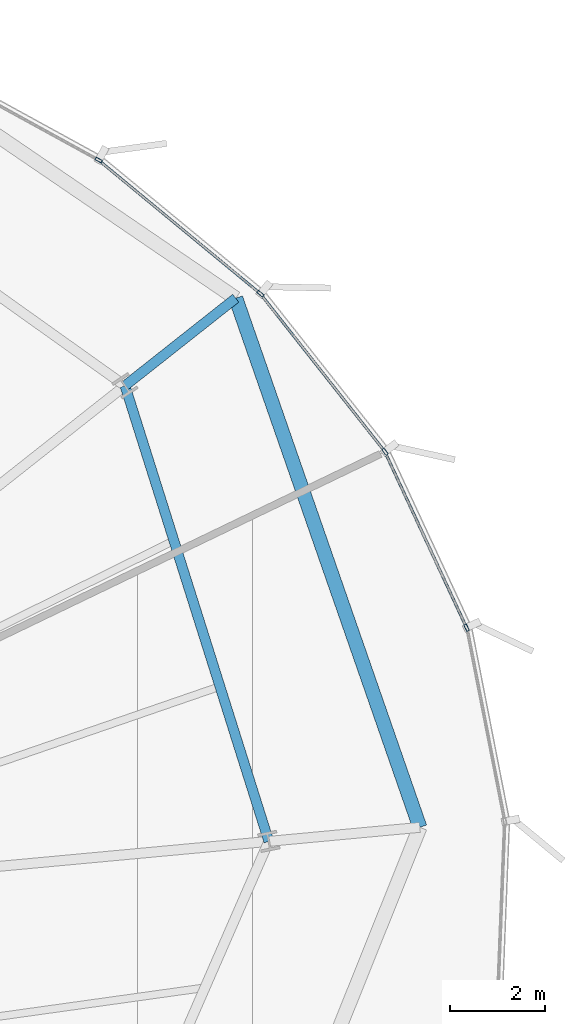
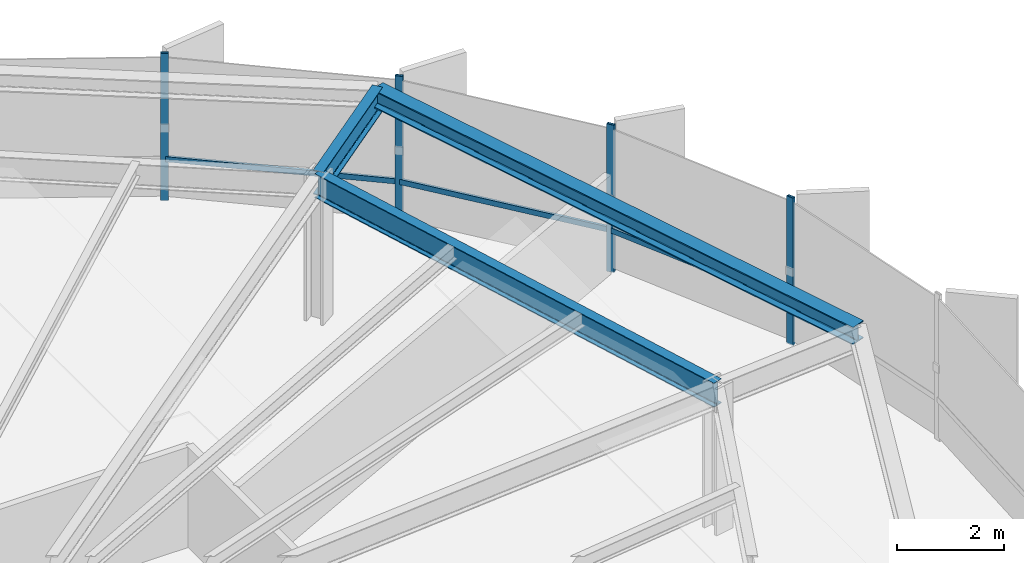
# One storey, part 25 of 35: 7 members, 3 beams, 1 element without a shape of its own.
"""IFC4 building model written with IfcOpenShell, lengths in metres."""

from ifc_helpers import new_model, si_unit, direction, frame, origin, origin_2d, place, context, subcontext, project, spatial, hollow_rectangle, i_section, extrude, source, transform, mapped, material, layer, layer_set, material_profile, profile_set, type_object, element, aggregate, save


model = new_model("IFC4")

# Units and contexts
model_context = context("Model", 3, precision=1e-05, world=origin(), true_north=direction((0.0, 1.0)))
body_context = subcontext(model_context, "Body", "Model", "MODEL_VIEW")
ifc_project = project(units=[si_unit("LENGTHUNIT", "METRE"), si_unit("AREAUNIT", "SQUARE_METRE"), si_unit("VOLUMEUNIT", "CUBIC_METRE"), si_unit("PLANEANGLEUNIT", "RADIAN"), si_unit("MASSUNIT", "GRAM", prefix="KILO"), si_unit("THERMODYNAMICTEMPERATUREUNIT", "KELVIN")], contexts=[model_context])

# Site, building, storey
site_placement = place(None, origin())
site = spatial("IfcSite", under=ifc_project, at=site_placement, CompositionType="ELEMENT")
building_placement = place(site_placement, origin())
building = spatial("IfcBuilding", under=site, at=building_placement, Name="Kethvar Cultural Tower", CompositionType="ELEMENT")
storey_placement = place(building_placement, frame((0.0, 0.0, 107.199951171875)))
storey = spatial("IfcBuildingStorey", under=building, at=storey_placement, Name="L26", CompositionType="ELEMENT", Elevation=107.199951171875)

# Beams
ifc_material_1 = material(Name="Steel S355J2", Category="steel")
ifc_material_profile_1 = material_profile(ifc_material_1, i_section(OverallWidth=0.2099609375, OverallDepth=0.550048828125, WebThickness=0.010986328125, FlangeThickness=0.01708984375, FilletRadius=0.02392578125, at=origin_2d()), Name="Steel S355J2 — IPE550")
ifc_profile_set_1 = profile_set([ifc_material_profile_1], Name="Steel S355J2 — IPE550")
beam_type_1 = type_object("IfcBeamType", Name="BM-IPE550", PredefinedType="BEAM", material=ifc_profile_set_1)
shared_shape_1 = source(origin(), body_context, "Body", "SweptSolid", [
    extrude(i_section(OverallWidth=0.2099609375, OverallDepth=0.550048828125, WebThickness=0.010986328125, FlangeThickness=0.01708984375, FilletRadius=0.02392578125, at=origin_2d()), origin(), (0.0, 0.0, 1.0), 10.079345703125),
])
beam_1_placement = place(storey_placement, frame((71.6025390625, 32.7333984375, 3.072998046875), z_axis=(-0.301007326566, 0.953621827222, 0.0), x_axis=(-0.953621827222, -0.301007326566, 0.0)))
element("IfcBeam", 1, at=beam_1_placement, inside=storey, type_object=beam_type_1, Name="L26 Column Ring Tie Beam CR-01", PredefinedType="BEAM", context=body_context, shape_type="MappedRepresentation", body=[
    mapped(shared_shape_1, transform((0.0, 0.0, 0.0), scale=1.0)),
])
shared_shape_2 = source(origin(), body_context, "Body", "SweptSolid", [
    extrude(i_section(OverallWidth=0.2099609375, OverallDepth=0.550048828125, WebThickness=0.010986328125, FlangeThickness=0.01708984375, FilletRadius=0.02392578125, at=origin_2d()), origin(), (0.0, 0.0, 1.0), 2.977294921875),
])
beam_2_placement = place(storey_placement, frame((68.568603515625, 42.34521484375, 3.072998046875), z_axis=(0.784662322181, 0.619923414745, 0.0), x_axis=(-0.619923414745, 0.784662322181, 0.0)))
element("IfcBeam", 2, at=beam_2_placement, inside=storey, type_object=beam_type_1, Name="L26 Perimeter Cantilever Beam RC-02", PredefinedType="BEAM", context=body_context, shape_type="MappedRepresentation", body=[
    mapped(shared_shape_2, transform((0.0, 0.0, 0.0), scale=1.0)),
])
ifc_material_profile_2 = material_profile(ifc_material_1, i_section(OverallWidth=0.300048828125, OverallDepth=0.39990234375, WebThickness=0.013427734375, FlangeThickness=0.02392578125, FilletRadius=0.027099609375, at=origin_2d()), Name="Steel S355J2 — HEB400")
ifc_profile_set_2 = profile_set([ifc_material_profile_2], Name="Steel S355J2 — HEB400")
beam_type_2 = type_object("IfcBeamType", Name="BM-SP400", PredefinedType="SPANDREL", material=ifc_profile_set_2)
shared_shape_3 = source(origin(), body_context, "Body", "SweptSolid", [
    extrude(i_section(OverallWidth=0.300048828125, OverallDepth=0.39990234375, WebThickness=0.013427734375, FlangeThickness=0.02392578125, FilletRadius=0.027099609375, at=origin_2d()), origin(), (0.0, 0.0, 1.0), 11.818603515625),
])
beam_3_placement = place(storey_placement, frame((74.788818359375, 33.02880859375, 3.14794921875), z_axis=(-0.328638400856, 0.944455822939, 0.0), x_axis=(-0.944455822939, -0.328638400856, 0.0)))
element("IfcBeam", 3, at=beam_3_placement, inside=storey, type_object=beam_type_2, Name="L26 Perimeter Spandrel Beam SP-01", PredefinedType="SPANDREL", context=body_context, shape_type="MappedRepresentation", body=[
    mapped(shared_shape_3, transform((0.0, 0.0, 0.0), scale=1.0)),
])

# Curtain wall, members
ifc_material_2 = material(Name="Aluminium 6063-T6", Category="aluminium")
ifc_layer = layer(ifc_material_2, 0.179931640625, Name="Aluminium 6063-T6", Category="aluminium")
ifc_layer_set = layer_set([ifc_layer], Name="Aluminium 6063-T6 (180 mm)")
curtain_wall_type = type_object("IfcCurtainWallType", Name="CW-SYS-03-Z2", PredefinedType="NOTDEFINED", material=ifc_layer_set)
curtain_wall_placement = place(storey_placement, origin())
curtain_wall = element("IfcCurtainWall", 4, at=curtain_wall_placement, inside=storey, type_object=curtain_wall_type, Name="L26 Curtain Wall Run 01", PredefinedType="NOTDEFINED")
ifc_material_profile_3 = material_profile(ifc_material_2, hollow_rectangle(XDim=0.06005859375, YDim=0.14990234375, WallThickness=0.0048828125, at=origin_2d()), Name="Aluminium 6063-T6 — RHS150x60x5")
ifc_profile_set_3 = profile_set([ifc_material_profile_3], Name="Aluminium 6063-T6 — RHS150x60x5")
member_type_1 = type_object("IfcMemberType", Name="CW-SYS-03-Z2-MUL", PredefinedType="MULLION", material=ifc_profile_set_3)
shared_shape_4 = source(origin(), body_context, "Body", "SweptSolid", [
    extrude(hollow_rectangle(XDim=0.06005859375, YDim=0.14990234375, WallThickness=0.0048828125, at=origin_2d()), origin(), (0.0, 0.0, 1.0), 3.35009765625),
])
member_1_placement = place(storey_placement, frame((75.774169921875, 37.240478515625, 0.0), z_axis=(0.0, 0.0, 1.0), x_axis=(-0.906933756291, -0.421273262504, 0.0)))
member_1 = element("IfcMember", 5, at=member_1_placement, type_object=member_type_1, Name="CW-L26-R01 Mullion 1", PredefinedType="MULLION", context=body_context, shape_type="MappedRepresentation", body=[
    mapped(shared_shape_4, transform((0.0, 0.0, 0.0), scale=1.0)),
])
member_2_placement = place(storey_placement, frame((74.052978515625, 40.95263671875, 0.0), z_axis=(0.0, 0.0, 1.0), x_axis=(-0.785035914111, -0.619450251074, 0.0)))
member_2 = element("IfcMember", 6, at=member_2_placement, type_object=member_type_1, Name="CW-L26-R01 Mullion 2", PredefinedType="MULLION", context=body_context, shape_type="MappedRepresentation", body=[
    mapped(shared_shape_4, transform((0.0, 0.0, 0.0), scale=1.0)),
])
member_3_placement = place(storey_placement, frame((71.427490234375, 44.2841796875, 0.0), z_axis=(0.0, 0.0, 1.0), x_axis=(-0.636576381028, -0.771213661132, 0.0)))
member_3 = element("IfcMember", 7, at=member_3_placement, type_object=member_type_1, Name="CW-L26-R01 Mullion 3", PredefinedType="MULLION", context=body_context, shape_type="MappedRepresentation", body=[
    mapped(shared_shape_4, transform((0.0, 0.0, 0.0), scale=1.0)),
])
member_4_placement = place(storey_placement, frame((68.013427734375, 47.10498046875, 0.0), z_axis=(0.0, 0.0, 1.0), x_axis=(-0.480820440602, -0.876819082764, 0.0)))
member_4 = element("IfcMember", 8, at=member_4_placement, type_object=member_type_1, Name="CW-L26-R01 Mullion 4", PredefinedType="MULLION", context=body_context, shape_type="MappedRepresentation", body=[
    mapped(shared_shape_4, transform((0.0, 0.0, 0.0), scale=1.0)),
])
ifc_material_profile_4 = material_profile(ifc_material_2, hollow_rectangle(XDim=0.054931640625, YDim=0.1201171875, WallThickness=0.00390625, at=origin_2d()), Name="Aluminium 6063-T6 — RHS120x55x4")
ifc_profile_set_4 = profile_set([ifc_material_profile_4], Name="Aluminium 6063-T6 — RHS120x55x4")
member_type_2 = type_object("IfcMemberType", Name="CW-SYS-03-Z2-TRN", PredefinedType="USERDEFINED", material=ifc_profile_set_4)
shared_shape_5 = source(origin(), body_context, "Body", "SweptSolid", [
    extrude(hollow_rectangle(XDim=0.054931640625, YDim=0.1201171875, WallThickness=0.00390625, at=origin_2d()), origin(), (0.0, 0.0, 1.0), 4.071044921875),
])
member_5_placement = place(storey_placement, frame((75.772216796875, 37.244140625, 0.949951171875), z_axis=(-0.42123992948, 0.906949238828, 0.0), x_axis=(-0.906949238828, -0.42123992948, 0.0)))
member_5 = element("IfcMember", 9, at=member_5_placement, type_object=member_type_2, Name="CW-L26-R01 Transom 1", ObjectType="TRANSOM", PredefinedType="USERDEFINED", context=body_context, shape_type="MappedRepresentation", body=[
    mapped(shared_shape_5, transform((0.0, 0.0, 0.0), scale=1.0)),
])
shared_shape_6 = source(origin(), body_context, "Body", "SweptSolid", [
    extrude(hollow_rectangle(XDim=0.054931640625, YDim=0.1201171875, WallThickness=0.00390625, at=origin_2d()), origin(), (0.0, 0.0, 1.0), 4.179443359375),
])
member_6_placement = place(storey_placement, frame((74.0263671875, 40.986572265625, 0.949951171875), z_axis=(-0.619473818561, 0.785017317081, 0.0), x_axis=(-0.785017317081, -0.619473818561, 0.0)))
member_6 = element("IfcMember", 10, at=member_6_placement, type_object=member_type_2, Name="CW-L26-R01 Transom 2", ObjectType="TRANSOM", PredefinedType="USERDEFINED", context=body_context, shape_type="MappedRepresentation", body=[
    mapped(shared_shape_6, transform((0.0, 0.0, 0.0), scale=1.0)),
])
shared_shape_7 = source(origin(), body_context, "Body", "SweptSolid", [
    extrude(hollow_rectangle(XDim=0.054931640625, YDim=0.1201171875, WallThickness=0.00390625, at=origin_2d()), origin(), (0.0, 0.0, 1.0), 4.36376953125),
])
member_7_placement = place(storey_placement, frame((71.394287109375, 44.311767578125, 0.949951171875), z_axis=(-0.771225640817, 0.636561867336, 0.0), x_axis=(-0.636561867336, -0.771225640817, 0.0)))
member_7 = element("IfcMember", 11, at=member_7_placement, type_object=member_type_2, Name="CW-L26-R01 Transom 3", ObjectType="TRANSOM", PredefinedType="USERDEFINED", context=body_context, shape_type="MappedRepresentation", body=[
    mapped(shared_shape_7, transform((0.0, 0.0, 0.0), scale=1.0)),
])
aggregate(curtain_wall, [member_1, member_2, member_3, member_4, member_5, member_6, member_7])

save(model, "model.ifc")
